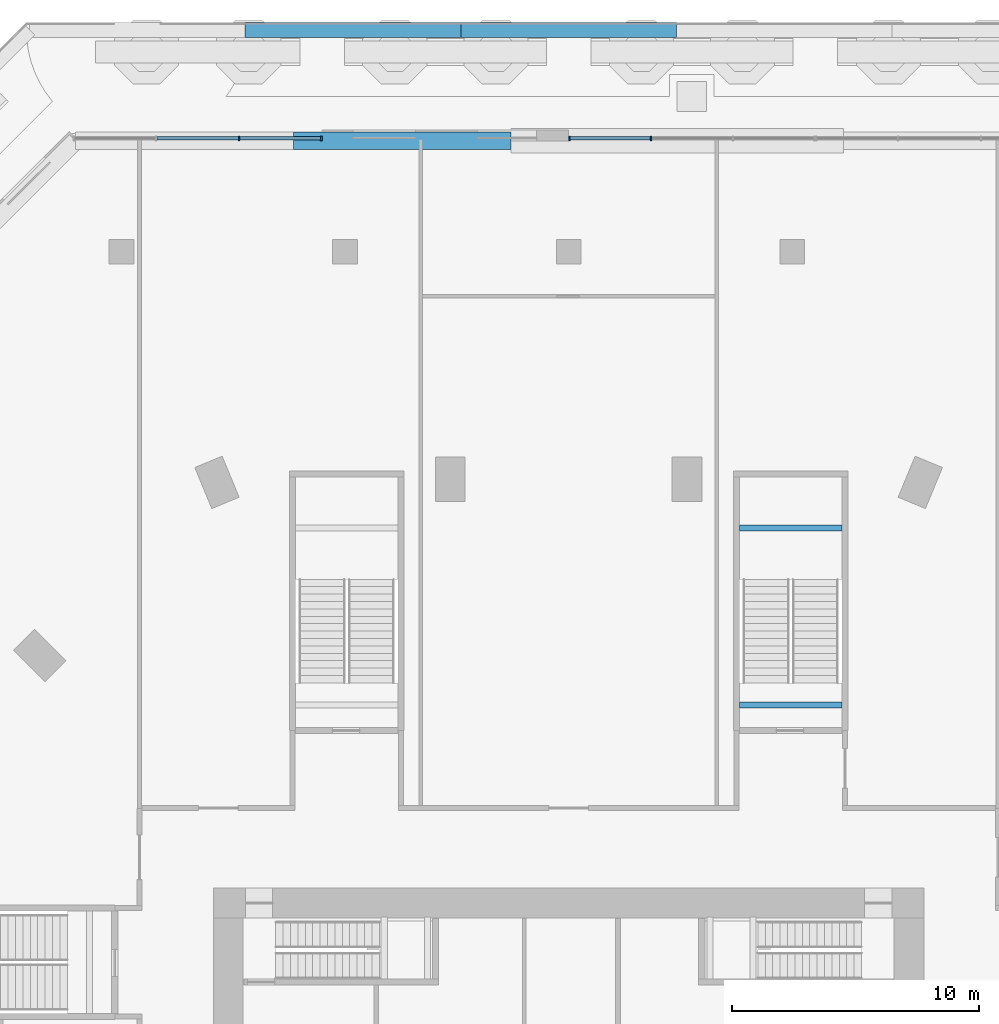
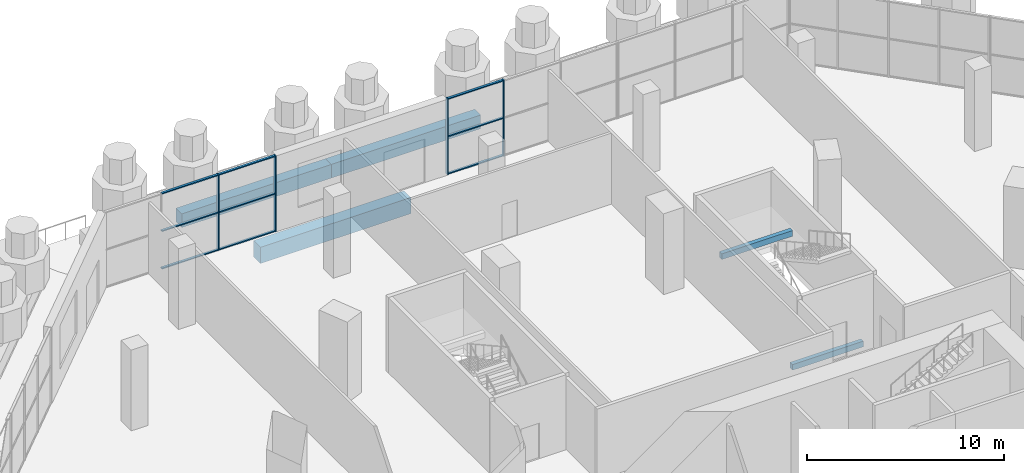
# One storey, part 14 of 32: 13 members, 5 beams, 2 elements without a shape of their own.
"""IFC4 building model written with IfcOpenShell, lengths in metres."""

from ifc_helpers import new_model, si_unit, direction, frame, origin, origin_2d, place, context, subcontext, project, spatial, rectangle, extrude, material, material_profile, profile_set, type_object, element, aggregate, save


model = new_model("IFC4")

# Units and contexts
model_context = context("Model", 3, precision=1e-05, world=origin(), true_north=direction((0.0, 1.0)))
body_context = subcontext(model_context, "Body", "Model", "MODEL_VIEW")
ifc_project = project(units=[si_unit("LENGTHUNIT", "METRE"), si_unit("AREAUNIT", "SQUARE_METRE"), si_unit("VOLUMEUNIT", "CUBIC_METRE"), si_unit("PLANEANGLEUNIT", "RADIAN"), si_unit("MASSUNIT", "GRAM", prefix="KILO")], contexts=[model_context])

# Site, building, storey
site_placement = place(None, origin())
site = spatial("IfcSite", under=ifc_project, at=site_placement, CompositionType="ELEMENT")
building_placement = place(site_placement, origin())
building = spatial("IfcBuilding", under=site, at=building_placement, Name="Msitu Wima Residences", CompositionType="ELEMENT")
storey_placement = place(building_placement, frame((0.0, 0.0, 6.0)))
storey = spatial("IfcBuildingStorey", under=building, at=storey_placement, Name="L01", CompositionType="ELEMENT", Elevation=6.0)

# Beams
ifc_material_1 = material(Name="Concrete C40/50", Category="concrete")
ifc_material_profile_1 = material_profile(ifc_material_1, rectangle(XDim=0.25, YDim=0.35009765625, at=origin_2d()), Name="RC 250x350")
ifc_profile_set_1 = profile_set([ifc_material_profile_1], Name="Concrete C40/50")
beam_type_1 = type_object("IfcBeamType", Name="Landing beam RC 250x350", PredefinedType="BEAM", material=ifc_profile_set_1)
for number, where, z_axis, x_axis, name in (
    (1, (6.925048828125, 26.60009765625, 2.125), (1.0, 0.0, 0.0), (0.0, 1.0, 0.0), "Podium exit stair 4 landing beam"),
    (2, (6.925048828125, 19.425048828125, -0.375), (1.0, 0.0, 0.0), (0.0, 1.0, 0.0), "Podium exit stair 4 floor landing beam"),
):
    element("IfcBeam", number, at=place(storey_placement, frame(where, z_axis=z_axis, x_axis=x_axis)), inside=storey, type_object=beam_type_1, Name=name, PredefinedType="BEAM", context=body_context, shape_type="SweptSolid", body=[
        extrude(rectangle(XDim=0.25, YDim=0.35009765625, at=origin_2d()), origin(), (0.0, 0.0, 1.0), 4.14990234375),
    ])

# Curtain wall, members
ifc_material_2 = material(Name="Anodised aluminium, bronze finish, clear low-emissivity double glazing", Category="aluminium")
curtain_wall_type = type_object("IfcCurtainWallType", Name="Curtain wall CW5 retail shopfront", PredefinedType="NOTDEFINED", material=ifc_material_2)
curtain_wall_1_placement = place(storey_placement, origin())
curtain_wall_1 = element("IfcCurtainWall", 3, at=curtain_wall_1_placement, inside=storey, type_object=curtain_wall_type, Name="Curtain wall CW5 L01 N1", PredefinedType="NOTDEFINED")
ifc_material_3 = material(Name="Anodised aluminium, bronze finish", Category="aluminium")
ifc_material_profile_2 = material_profile(ifc_material_3, rectangle(XDim=0.179931640625, YDim=0.06494140625, at=origin_2d()), Name="Mullion 65x180")
ifc_profile_set_2 = profile_set([ifc_material_profile_2], Name="Anodised aluminium, bronze finish")
member_type_1 = type_object("IfcMemberType", Name="Mullion CW5 65x180", PredefinedType="MULLION", material=ifc_profile_set_2)
member_1_placement = place(storey_placement, frame((3.33203125, 42.39990234375, 0.0), z_axis=(0.0, 0.0, 1.0), x_axis=(0.0, -1.0, 0.0)))
member_1 = element("IfcMember", 4, at=member_1_placement, type_object=member_type_1, Name="CW5 mullion 3", PredefinedType="MULLION", context=body_context, shape_type="SweptSolid", body=[
    extrude(rectangle(XDim=0.179931640625, YDim=0.06494140625, at=origin_2d()), origin(), (0.0, 0.0, 1.0), 4.699951171875),
])
member_2_placement = place(storey_placement, frame((0.032470703125, 42.39990234375, 0.0), z_axis=(0.0, 0.0, 1.0), x_axis=(0.0, -1.0, 0.0)))
member_2 = element("IfcMember", 5, at=member_2_placement, type_object=member_type_1, Name="CW5 mullion 4", PredefinedType="MULLION", context=body_context, shape_type="SweptSolid", body=[
    extrude(rectangle(XDim=0.179931640625, YDim=0.06494140625, at=origin_2d()), origin(), (0.0, 0.0, 1.0), 4.699951171875),
])

curtain_wall_2_placement = place(storey_placement, origin())
curtain_wall_2 = element("IfcCurtainWall", 6, at=curtain_wall_2_placement, inside=storey, type_object=curtain_wall_type, Name="Curtain wall CW5 L01 N3", PredefinedType="NOTDEFINED")
member_3_placement = place(storey_placement, frame((-10.0283203125, 42.39990234375, 0.0), z_axis=(0.0, 0.0, 1.0), x_axis=(0.0, -1.0, 0.0)))
member_3 = element("IfcMember", 7, at=member_3_placement, type_object=member_type_1, Name="CW5 mullion 1", PredefinedType="MULLION", context=body_context, shape_type="SweptSolid", body=[
    extrude(rectangle(XDim=0.179931640625, YDim=0.06494140625, at=origin_2d()), origin(), (0.0, 0.0, 1.0), 4.699951171875),
])
member_4_placement = place(storey_placement, frame((-13.35888671875, 42.39990234375, 0.0), z_axis=(0.0, 0.0, 1.0), x_axis=(0.0, -1.0, 0.0)))
member_4 = element("IfcMember", 8, at=member_4_placement, type_object=member_type_1, Name="CW5 mullion 2", PredefinedType="MULLION", context=body_context, shape_type="SweptSolid", body=[
    extrude(rectangle(XDim=0.179931640625, YDim=0.06494140625, at=origin_2d()), origin(), (0.0, 0.0, 1.0), 4.699951171875),
])

# Beams
ifc_material_4 = material(Name="Concrete C60/75", Category="concrete")
ifc_material_profile_3 = material_profile(ifc_material_4, rectangle(XDim=0.60009765625, YDim=0.85009765625, at=origin_2d()), Name="RC 600x850")
ifc_profile_set_3 = profile_set([ifc_material_profile_3], Name="Concrete C60/75")
beam_type_2 = type_object("IfcBeamType", Name="Terrace beam RC 600x850 Concrete C60/75", PredefinedType="BEAM", material=ifc_profile_set_3)
beam_1_placement = place(storey_placement, frame((4.37109375, 46.800048828125, -0.77490234375), z_axis=(-1.0, 0.0, 0.0), x_axis=(0.0, -1.0, 0.0)))
element("IfcBeam", 9, at=beam_1_placement, inside=storey, type_object=beam_type_2, Name="Terrace edge beam L00 C-N2", PredefinedType="BEAM", context=body_context, shape_type="SweptSolid", body=[
    extrude(rectangle(XDim=0.60009765625, YDim=0.85009765625, at=origin_2d()), origin(), (0.0, 0.0, 1.0), 8.7421875),
])
beam_2_placement = place(storey_placement, frame((-4.37109375, 46.800048828125, -0.77490234375), z_axis=(-1.0, 0.0, 0.0), x_axis=(0.0, -1.0, 0.0)))
element("IfcBeam", 10, at=beam_2_placement, inside=storey, type_object=beam_type_2, Name="Terrace edge beam L00 C-N3", PredefinedType="BEAM", context=body_context, shape_type="SweptSolid", body=[
    extrude(rectangle(XDim=0.60009765625, YDim=0.85009765625, at=origin_2d()), origin(), (0.0, 0.0, 1.0), 8.742431640625),
])
ifc_material_profile_4 = material_profile(ifc_material_4, rectangle(XDim=0.699951171875, YDim=1.0, at=origin_2d()), Name="RC 700x1000")
ifc_profile_set_4 = profile_set([ifc_material_profile_4], Name="Concrete C60/75")
beam_type_3 = type_object("IfcBeamType", Name="Terrace beam RC 700x1000 Concrete C60/75", PredefinedType="BEAM", material=ifc_profile_set_4)
beam_3_placement = place(storey_placement, frame((-2.341552734375, 42.300048828125, -0.85009765625), z_axis=(-1.0, 0.0, 0.0), x_axis=(0.0, -1.0, 0.0)))
element("IfcBeam", 11, at=beam_3_placement, inside=storey, type_object=beam_type_3, Name="Terrace upstand-line beam L01 T21", PredefinedType="BEAM", context=body_context, shape_type="SweptSolid", body=[
    extrude(rectangle(XDim=0.699951171875, YDim=1.0, at=origin_2d()), origin(), (0.0, 0.0, 1.0), 8.802490234375),
])

# Member
ifc_material_profile_5 = material_profile(ifc_material_3, rectangle(XDim=0.139892578125, YDim=0.06494140625, at=origin_2d()), Name="Transom 65x140")
ifc_profile_set_5 = profile_set([ifc_material_profile_5], Name="Anodised aluminium, bronze finish")
member_type_2 = type_object("IfcMemberType", Name="Transom CW5 65x140", PredefinedType="USERDEFINED", material=ifc_profile_set_5)
member_5_placement = place(storey_placement, frame((3.299560546875, 42.39990234375, 0.032470703125), z_axis=(-1.0, 0.0, 0.0), x_axis=(0.0, -1.0, 0.0)))
member_5 = element("IfcMember", 12, at=member_5_placement, type_object=member_type_2, Name="CW5 transom 3.1", ObjectType="TRANSOM", PredefinedType="USERDEFINED", context=body_context, shape_type="SweptSolid", body=[
    extrude(rectangle(XDim=0.139892578125, YDim=0.06494140625, at=origin_2d()), origin(), (0.0, 0.0, 1.0), 3.234619140625),
])

member_6_placement = place(storey_placement, frame((3.299560546875, 42.39990234375, 2.35009765625), z_axis=(-1.0, 0.0, 0.0), x_axis=(0.0, -1.0, 0.0)))
member_6 = element("IfcMember", 13, at=member_6_placement, type_object=member_type_2, Name="CW5 transom 3.2", ObjectType="TRANSOM", PredefinedType="USERDEFINED", context=body_context, shape_type="SweptSolid", body=[
    extrude(rectangle(XDim=0.139892578125, YDim=0.06494140625, at=origin_2d()), origin(), (0.0, 0.0, 1.0), 3.234619140625),
])

member_7_placement = place(storey_placement, frame((3.299560546875, 42.39990234375, 4.66748046875), z_axis=(-1.0, 0.0, 0.0), x_axis=(0.0, -1.0, 0.0)))
member_7 = element("IfcMember", 14, at=member_7_placement, type_object=member_type_2, Name="CW5 transom 3.3", ObjectType="TRANSOM", PredefinedType="USERDEFINED", context=body_context, shape_type="SweptSolid", body=[
    extrude(rectangle(XDim=0.139892578125, YDim=0.06494140625, at=origin_2d()), origin(), (0.0, 0.0, 1.0), 3.234619140625),
])

aggregate(curtain_wall_1, [member_1, member_2, member_5, member_6, member_7])

member_8_placement = place(storey_placement, frame((-10.06103515625, 42.39990234375, 0.032470703125), z_axis=(-1.0, 0.0, 0.0), x_axis=(0.0, -1.0, 0.0)))
member_8 = element("IfcMember", 15, at=member_8_placement, type_object=member_type_2, Name="CW5 transom 1.1", ObjectType="TRANSOM", PredefinedType="USERDEFINED", context=body_context, shape_type="SweptSolid", body=[
    extrude(rectangle(XDim=0.139892578125, YDim=0.06494140625, at=origin_2d()), origin(), (0.0, 0.0, 1.0), 3.265380859375),
])

member_9_placement = place(storey_placement, frame((-10.06103515625, 42.39990234375, 2.35009765625), z_axis=(-1.0, 0.0, 0.0), x_axis=(0.0, -1.0, 0.0)))
member_9 = element("IfcMember", 16, at=member_9_placement, type_object=member_type_2, Name="CW5 transom 1.2", ObjectType="TRANSOM", PredefinedType="USERDEFINED", context=body_context, shape_type="SweptSolid", body=[
    extrude(rectangle(XDim=0.139892578125, YDim=0.06494140625, at=origin_2d()), origin(), (0.0, 0.0, 1.0), 3.265380859375),
])

member_10_placement = place(storey_placement, frame((-10.06103515625, 42.39990234375, 4.66748046875), z_axis=(-1.0, 0.0, 0.0), x_axis=(0.0, -1.0, 0.0)))
member_10 = element("IfcMember", 17, at=member_10_placement, type_object=member_type_2, Name="CW5 transom 1.3", ObjectType="TRANSOM", PredefinedType="USERDEFINED", context=body_context, shape_type="SweptSolid", body=[
    extrude(rectangle(XDim=0.139892578125, YDim=0.06494140625, at=origin_2d()), origin(), (0.0, 0.0, 1.0), 3.265380859375),
])

member_11_placement = place(storey_placement, frame((-13.3916015625, 42.39990234375, 0.032470703125), z_axis=(-1.0, 0.0, 0.0), x_axis=(0.0, -1.0, 0.0)))
member_11 = element("IfcMember", 18, at=member_11_placement, type_object=member_type_2, Name="CW5 transom 2.1", ObjectType="TRANSOM", PredefinedType="USERDEFINED", context=body_context, shape_type="SweptSolid", body=[
    extrude(rectangle(XDim=0.139892578125, YDim=0.06494140625, at=origin_2d()), origin(), (0.0, 0.0, 1.0), 3.2978515625),
])

member_12_placement = place(storey_placement, frame((-13.3916015625, 42.39990234375, 2.35009765625), z_axis=(-1.0, 0.0, 0.0), x_axis=(0.0, -1.0, 0.0)))
member_12 = element("IfcMember", 19, at=member_12_placement, type_object=member_type_2, Name="CW5 transom 2.2", ObjectType="TRANSOM", PredefinedType="USERDEFINED", context=body_context, shape_type="SweptSolid", body=[
    extrude(rectangle(XDim=0.139892578125, YDim=0.06494140625, at=origin_2d()), origin(), (0.0, 0.0, 1.0), 3.2978515625),
])

member_13_placement = place(storey_placement, frame((-13.3916015625, 42.39990234375, 4.66748046875), z_axis=(-1.0, 0.0, 0.0), x_axis=(0.0, -1.0, 0.0)))
member_13 = element("IfcMember", 20, at=member_13_placement, type_object=member_type_2, Name="CW5 transom 2.3", ObjectType="TRANSOM", PredefinedType="USERDEFINED", context=body_context, shape_type="SweptSolid", body=[
    extrude(rectangle(XDim=0.139892578125, YDim=0.06494140625, at=origin_2d()), origin(), (0.0, 0.0, 1.0), 3.2978515625),
])

aggregate(curtain_wall_2, [member_3, member_4, member_8, member_9, member_10, member_11, member_12, member_13])

save(model, "model.ifc")
